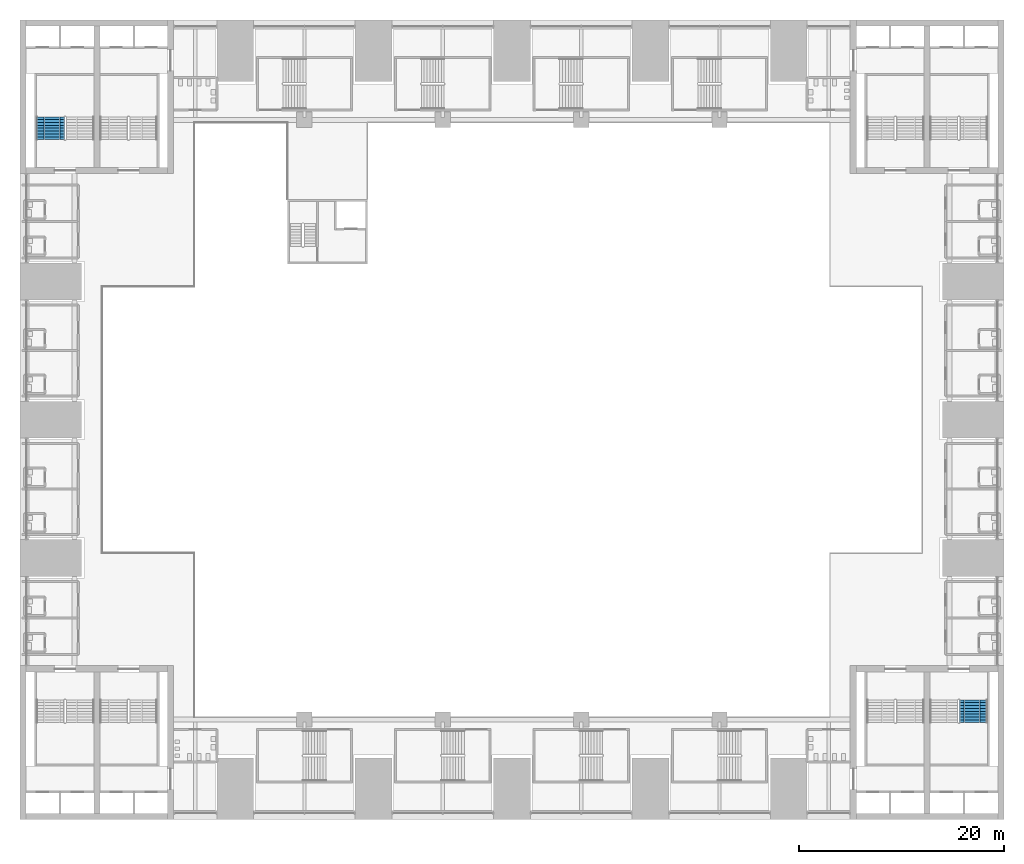
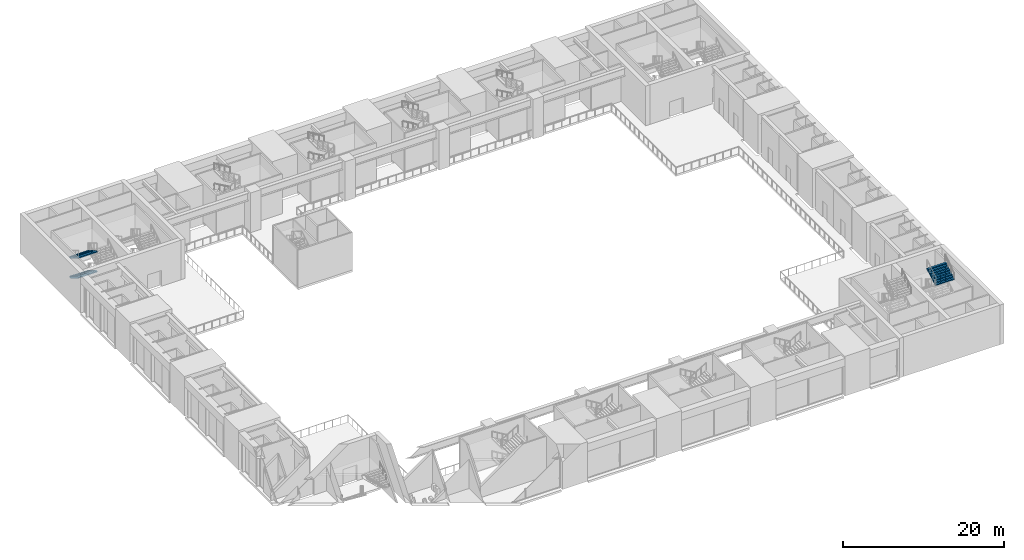
# One storey, part 28 of 43: 3 stair flights, 2 elements without a shape of their own.
"""IFC4 building model written with IfcOpenShell, lengths in metres."""

from ifc_helpers import new_model, si_unit, direction, frame, origin, place, context, subcontext, project, spatial, polyline, outline, extrude, material, type_object, element, aggregate, save


model = new_model("IFC4")

# Units and contexts
model_context = context("Model", 3, precision=1e-05, world=origin(), true_north=direction((0.0, 1.0)))
body_context = subcontext(model_context, "Body", "Model", "MODEL_VIEW")
ifc_project = project(units=[si_unit("LENGTHUNIT", "METRE"), si_unit("AREAUNIT", "SQUARE_METRE"), si_unit("VOLUMEUNIT", "CUBIC_METRE"), si_unit("PLANEANGLEUNIT", "RADIAN"), si_unit("MASSUNIT", "GRAM", prefix="KILO")], contexts=[model_context])

# Site, building, storey
site_placement = place(None, origin())
site = spatial("IfcSite", under=ifc_project, at=site_placement, CompositionType="ELEMENT")
building_placement = place(site_placement, origin())
building = spatial("IfcBuilding", under=site, at=building_placement, Name="Corbelhall Arena Tower", CompositionType="ELEMENT")
storey_placement = place(building_placement, frame((0.0, 0.0, 25.0)))
storey = spatial("IfcBuildingStorey", under=building, at=storey_placement, Name="L03", CompositionType="ELEMENT", Elevation=25.0)

# Stair, stair flights
ifc_material = material(Name="Reinforced concrete C40/50", Category="concrete")
stair_type = type_object("IfcStairType", Name="AR-EXIT-STAIR", PredefinedType="HALF_TURN_STAIR", material=ifc_material)
stair_1_placement = place(storey_placement, origin())
stair_1 = element("IfcStair", 1, at=stair_1_placement, inside=storey, type_object=stair_type, Name="L03 exit stair AS4", PredefinedType="HALF_TURN_STAIR")
stair_flight_type = type_object("IfcStairFlightType", Name="AR-EXIT-FLIGHT", PredefinedType="STRAIGHT", material=ifc_material)
stair_flight_1_placement = place(storey_placement, frame((-45.030029296875, 29.56005859375, 1.5), z_axis=(0.0, 0.0, 1.0), x_axis=(0.0, -1.0, 0.0)))
stair_flight_1 = element("IfcStairFlight", 2, at=stair_flight_1_placement, type_object=stair_flight_type, Name="AS4 flight 2", NumberOfRisers=9, NumberOfTreads=8, PredefinedType="STRAIGHT", RiserHeight=0.166666667, TreadLength=0.28, context=body_context, shape_type="SweptSolid", body=[
    extrude(outline(polyline([(0.0, 0.0), (0.0, 0.166748046875), (0.280029296875, 0.166748046875), (0.280029296875, 0.333251953125), (0.56005859375, 0.333251953125), (0.56005859375, 0.5), (0.840087890625, 0.5), (0.840087890625, 0.666748046875), (1.1201171875, 0.666748046875), (1.1201171875, 0.833251953125), (1.39990234375, 0.833251953125), (1.39990234375, 1.0), (1.679931640625, 1.0), (1.679931640625, 1.166748046875), (1.9599609375, 1.166748046875), (1.9599609375, 1.333251953125), (2.239990234375, 1.333251953125), (2.239990234375, 1.5), (2.239990234375, 1.158935546875), (0.29296875, 0.0), (0.0, 0.0)])), frame((0.0, 1.35986328125, 0.0), z_axis=(0.0, -1.0, 0.0), x_axis=(1.0, 0.0, 0.0)), (0.0, 0.0, 1.0), 0.449951171875),
    extrude(outline(polyline([(0.0, 0.0), (0.0, 0.166748046875), (0.280029296875, 0.166748046875), (0.280029296875, 0.333251953125), (0.56005859375, 0.333251953125), (0.56005859375, 0.5), (0.840087890625, 0.5), (0.840087890625, 0.666748046875), (1.1201171875, 0.666748046875), (1.1201171875, 0.833251953125), (1.39990234375, 0.833251953125), (1.39990234375, 1.0), (1.679931640625, 1.0), (1.679931640625, 1.166748046875), (1.9599609375, 1.166748046875), (1.9599609375, 1.333251953125), (2.239990234375, 1.333251953125), (2.239990234375, 1.5), (2.239990234375, 1.158935546875), (0.29296875, 0.0), (0.0, 0.0)])), frame((0.0, 0.906005859375, 0.0), z_axis=(0.0, -1.0, 0.0), x_axis=(1.0, 0.0, 0.0)), (0.0, 0.0, 1.0), 0.147216796875),
    extrude(outline(polyline([(0.0, 0.0), (0.0, 0.166748046875), (0.280029296875, 0.166748046875), (0.280029296875, 0.333251953125), (0.56005859375, 0.333251953125), (0.56005859375, 0.5), (0.840087890625, 0.5), (0.840087890625, 0.666748046875), (1.1201171875, 0.666748046875), (1.1201171875, 0.833251953125), (1.39990234375, 0.833251953125), (1.39990234375, 1.0), (1.679931640625, 1.0), (1.679931640625, 1.166748046875), (1.9599609375, 1.166748046875), (1.9599609375, 1.333251953125), (2.239990234375, 1.333251953125), (2.239990234375, 1.5), (2.239990234375, 1.158935546875), (0.29296875, 0.0), (0.0, 0.0)])), frame((0.0, 0.754638671875, 0.0), z_axis=(0.0, -1.0, 0.0), x_axis=(1.0, 0.0, 0.0)), (0.0, 0.0, 1.0), 0.147216796875),
    extrude(outline(polyline([(0.0, 0.0), (0.0, 0.166748046875), (0.280029296875, 0.166748046875), (0.280029296875, 0.333251953125), (0.56005859375, 0.333251953125), (0.56005859375, 0.5), (0.840087890625, 0.5), (0.840087890625, 0.666748046875), (1.1201171875, 0.666748046875), (1.1201171875, 0.833251953125), (1.39990234375, 0.833251953125), (1.39990234375, 1.0), (1.679931640625, 1.0), (1.679931640625, 1.166748046875), (1.9599609375, 1.166748046875), (1.9599609375, 1.333251953125), (2.239990234375, 1.333251953125), (2.239990234375, 1.5), (2.239990234375, 1.158935546875), (0.29296875, 0.0), (0.0, 0.0)])), frame((0.0, 0.603271484375, 0.0), z_axis=(0.0, -1.0, 0.0), x_axis=(1.0, 0.0, 0.0)), (0.0, 0.0, 1.0), 0.147216796875),
    extrude(outline(polyline([(0.0, 0.0), (0.0, 0.166748046875), (0.280029296875, 0.166748046875), (0.280029296875, 0.333251953125), (0.56005859375, 0.333251953125), (0.56005859375, 0.5), (0.840087890625, 0.5), (0.840087890625, 0.666748046875), (1.1201171875, 0.666748046875), (1.1201171875, 0.833251953125), (1.39990234375, 0.833251953125), (1.39990234375, 1.0), (1.679931640625, 1.0), (1.679931640625, 1.166748046875), (1.9599609375, 1.166748046875), (1.9599609375, 1.333251953125), (2.239990234375, 1.333251953125), (2.239990234375, 1.5), (2.239990234375, 1.158935546875), (0.29296875, 0.0), (0.0, 0.0)])), frame((0.0, 0.451904296875, 0.0), z_axis=(0.0, -1.0, 0.0), x_axis=(1.0, 0.0, 0.0)), (0.0, 0.0, 1.0), 0.147216796875),
    extrude(outline(polyline([(0.0, 0.0), (0.0, 0.166748046875), (0.280029296875, 0.166748046875), (0.280029296875, 0.333251953125), (0.56005859375, 0.333251953125), (0.56005859375, 0.5), (0.840087890625, 0.5), (0.840087890625, 0.666748046875), (1.1201171875, 0.666748046875), (1.1201171875, 0.833251953125), (1.39990234375, 0.833251953125), (1.39990234375, 1.0), (1.679931640625, 1.0), (1.679931640625, 1.166748046875), (1.9599609375, 1.166748046875), (1.9599609375, 1.333251953125), (2.239990234375, 1.333251953125), (2.239990234375, 1.5), (2.239990234375, 1.158935546875), (0.29296875, 0.0), (0.0, 0.0)])), frame((0.0, 0.30078125, 0.0), z_axis=(0.0, -1.0, 0.0), x_axis=(1.0, 0.0, 0.0)), (0.0, 0.0, 1.0), 0.147216796875),
    extrude(outline(polyline([(0.0, 0.0), (0.0, 0.166748046875), (0.280029296875, 0.166748046875), (0.280029296875, 0.333251953125), (0.56005859375, 0.333251953125), (0.56005859375, 0.5), (0.840087890625, 0.5), (0.840087890625, 0.666748046875), (1.1201171875, 0.666748046875), (1.1201171875, 0.833251953125), (1.39990234375, 0.833251953125), (1.39990234375, 1.0), (1.679931640625, 1.0), (1.679931640625, 1.166748046875), (1.9599609375, 1.166748046875), (1.9599609375, 1.333251953125), (2.239990234375, 1.333251953125), (2.239990234375, 1.5), (2.239990234375, 1.158935546875), (0.29296875, 0.0), (0.0, 0.0)])), frame((0.0, 0.1494140625, 0.0), z_axis=(0.0, -1.0, 0.0), x_axis=(1.0, 0.0, 0.0)), (0.0, 0.0, 1.0), 0.147216796875),
    extrude(outline(polyline([(0.0, 0.0), (0.0, 0.166748046875), (0.280029296875, 0.166748046875), (0.280029296875, 0.333251953125), (0.56005859375, 0.333251953125), (0.56005859375, 0.5), (0.840087890625, 0.5), (0.840087890625, 0.666748046875), (1.1201171875, 0.666748046875), (1.1201171875, 0.833251953125), (1.39990234375, 0.833251953125), (1.39990234375, 1.0), (1.679931640625, 1.0), (1.679931640625, 1.166748046875), (1.9599609375, 1.166748046875), (1.9599609375, 1.333251953125), (2.239990234375, 1.333251953125), (2.239990234375, 1.5), (2.239990234375, 1.158935546875), (0.29296875, 0.0), (0.0, 0.0)])), frame((0.0, -0.001953125, 0.0), z_axis=(0.0, -1.0, 0.0), x_axis=(1.0, 0.0, 0.0)), (0.0, 0.0, 1.0), 0.147216796875),
    extrude(outline(polyline([(0.0, 0.0), (0.0, 0.166748046875), (0.280029296875, 0.166748046875), (0.280029296875, 0.333251953125), (0.56005859375, 0.333251953125), (0.56005859375, 0.5), (0.840087890625, 0.5), (0.840087890625, 0.666748046875), (1.1201171875, 0.666748046875), (1.1201171875, 0.833251953125), (1.39990234375, 0.833251953125), (1.39990234375, 1.0), (1.679931640625, 1.0), (1.679931640625, 1.166748046875), (1.9599609375, 1.166748046875), (1.9599609375, 1.333251953125), (2.239990234375, 1.333251953125), (2.239990234375, 1.5), (2.239990234375, 1.158935546875), (0.29296875, 0.0), (0.0, 0.0)])), frame((0.0, -0.1533203125, 0.0), z_axis=(0.0, -1.0, 0.0), x_axis=(1.0, 0.0, 0.0)), (0.0, 0.0, 1.0), 0.147216796875),
    extrude(outline(polyline([(0.0, 0.0), (0.0, 0.166748046875), (0.280029296875, 0.166748046875), (0.280029296875, 0.333251953125), (0.56005859375, 0.333251953125), (0.56005859375, 0.5), (0.840087890625, 0.5), (0.840087890625, 0.666748046875), (1.1201171875, 0.666748046875), (1.1201171875, 0.833251953125), (1.39990234375, 0.833251953125), (1.39990234375, 1.0), (1.679931640625, 1.0), (1.679931640625, 1.166748046875), (1.9599609375, 1.166748046875), (1.9599609375, 1.333251953125), (2.239990234375, 1.333251953125), (2.239990234375, 1.5), (2.239990234375, 1.158935546875), (0.29296875, 0.0), (0.0, 0.0)])), frame((0.0, -0.3046875, 0.0), z_axis=(0.0, -1.0, 0.0), x_axis=(1.0, 0.0, 0.0)), (0.0, 0.0, 1.0), 0.147216796875),
    extrude(outline(polyline([(0.0, 0.0), (0.0, 0.166748046875), (0.280029296875, 0.166748046875), (0.280029296875, 0.333251953125), (0.56005859375, 0.333251953125), (0.56005859375, 0.5), (0.840087890625, 0.5), (0.840087890625, 0.666748046875), (1.1201171875, 0.666748046875), (1.1201171875, 0.833251953125), (1.39990234375, 0.833251953125), (1.39990234375, 1.0), (1.679931640625, 1.0), (1.679931640625, 1.166748046875), (1.9599609375, 1.166748046875), (1.9599609375, 1.333251953125), (2.239990234375, 1.333251953125), (2.239990234375, 1.5), (2.239990234375, 1.158935546875), (0.29296875, 0.0), (0.0, 0.0)])), frame((0.0, -0.4560546875, 0.0), z_axis=(0.0, -1.0, 0.0), x_axis=(1.0, 0.0, 0.0)), (0.0, 0.0, 1.0), 0.147216796875),
    extrude(outline(polyline([(0.0, 0.0), (0.0, 0.166748046875), (0.280029296875, 0.166748046875), (0.280029296875, 0.333251953125), (0.56005859375, 0.333251953125), (0.56005859375, 0.5), (0.840087890625, 0.5), (0.840087890625, 0.666748046875), (1.1201171875, 0.666748046875), (1.1201171875, 0.833251953125), (1.39990234375, 0.833251953125), (1.39990234375, 1.0), (1.679931640625, 1.0), (1.679931640625, 1.166748046875), (1.9599609375, 1.166748046875), (1.9599609375, 1.333251953125), (2.239990234375, 1.333251953125), (2.239990234375, 1.5), (2.239990234375, 1.158935546875), (0.29296875, 0.0), (0.0, 0.0)])), frame((0.0, -0.607421875, 0.0), z_axis=(0.0, -1.0, 0.0), x_axis=(1.0, 0.0, 0.0)), (0.0, 0.0, 1.0), 0.147216796875),
    extrude(outline(polyline([(0.0, 0.0), (0.0, 0.166748046875), (0.280029296875, 0.166748046875), (0.280029296875, 0.333251953125), (0.56005859375, 0.333251953125), (0.56005859375, 0.5), (0.840087890625, 0.5), (0.840087890625, 0.666748046875), (1.1201171875, 0.666748046875), (1.1201171875, 0.833251953125), (1.39990234375, 0.833251953125), (1.39990234375, 1.0), (1.679931640625, 1.0), (1.679931640625, 1.166748046875), (1.9599609375, 1.166748046875), (1.9599609375, 1.333251953125), (2.239990234375, 1.333251953125), (2.239990234375, 1.5), (2.239990234375, 1.158935546875), (0.29296875, 0.0), (0.0, 0.0)])), frame((0.0, -0.758544921875, 0.0), z_axis=(0.0, -1.0, 0.0), x_axis=(1.0, 0.0, 0.0)), (0.0, 0.0, 1.0), 0.147216796875),
    extrude(outline(polyline([(0.0, 0.0), (0.0, 0.166748046875), (0.280029296875, 0.166748046875), (0.280029296875, 0.333251953125), (0.56005859375, 0.333251953125), (0.56005859375, 0.5), (0.840087890625, 0.5), (0.840087890625, 0.666748046875), (1.1201171875, 0.666748046875), (1.1201171875, 0.833251953125), (1.39990234375, 0.833251953125), (1.39990234375, 1.0), (1.679931640625, 1.0), (1.679931640625, 1.166748046875), (1.9599609375, 1.166748046875), (1.9599609375, 1.333251953125), (2.239990234375, 1.333251953125), (2.239990234375, 1.5), (2.239990234375, 1.158935546875), (0.29296875, 0.0), (0.0, 0.0)])), frame((0.0, -0.909912109375, 0.0), z_axis=(0.0, -1.0, 0.0), x_axis=(1.0, 0.0, 0.0)), (0.0, 0.0, 1.0), 0.449951171875),
])
stair_flight_2_placement = place(storey_placement, frame((-45.030029296875, 29.56005859375, 4.5), z_axis=(0.0, 0.0, 1.0), x_axis=(0.0, -1.0, 0.0)))
stair_flight_2 = element("IfcStairFlight", 3, at=stair_flight_2_placement, type_object=stair_flight_type, Name="AS4 flight 4", NumberOfRisers=9, NumberOfTreads=8, PredefinedType="STRAIGHT", RiserHeight=0.166666667, TreadLength=0.28, context=body_context, shape_type="SweptSolid", body=[
    extrude(outline(polyline([(0.0, 0.0), (0.0, 0.166748046875), (0.280029296875, 0.166748046875), (0.280029296875, 0.333251953125), (0.56005859375, 0.333251953125), (0.56005859375, 0.5), (0.840087890625, 0.5), (0.840087890625, 0.666748046875), (1.1201171875, 0.666748046875), (1.1201171875, 0.833251953125), (1.39990234375, 0.833251953125), (1.39990234375, 1.0), (1.679931640625, 1.0), (1.679931640625, 1.166748046875), (1.9599609375, 1.166748046875), (1.9599609375, 1.333251953125), (2.239990234375, 1.333251953125), (2.239990234375, 1.5), (2.239990234375, 1.158935546875), (0.29296875, 0.0), (0.0, 0.0)])), frame((0.0, 1.35986328125, 0.0), z_axis=(0.0, -1.0, 0.0), x_axis=(1.0, 0.0, 0.0)), (0.0, 0.0, 1.0), 0.449951171875),
    extrude(outline(polyline([(0.0, 0.0), (0.0, 0.166748046875), (0.280029296875, 0.166748046875), (0.280029296875, 0.333251953125), (0.56005859375, 0.333251953125), (0.56005859375, 0.5), (0.840087890625, 0.5), (0.840087890625, 0.666748046875), (1.1201171875, 0.666748046875), (1.1201171875, 0.833251953125), (1.39990234375, 0.833251953125), (1.39990234375, 1.0), (1.679931640625, 1.0), (1.679931640625, 1.166748046875), (1.9599609375, 1.166748046875), (1.9599609375, 1.333251953125), (2.239990234375, 1.333251953125), (2.239990234375, 1.5), (2.239990234375, 1.158935546875), (0.29296875, 0.0), (0.0, 0.0)])), frame((0.0, 0.906005859375, 0.0), z_axis=(0.0, -1.0, 0.0), x_axis=(1.0, 0.0, 0.0)), (0.0, 0.0, 1.0), 0.147216796875),
    extrude(outline(polyline([(0.0, 0.0), (0.0, 0.166748046875), (0.280029296875, 0.166748046875), (0.280029296875, 0.333251953125), (0.56005859375, 0.333251953125), (0.56005859375, 0.5), (0.840087890625, 0.5), (0.840087890625, 0.666748046875), (1.1201171875, 0.666748046875), (1.1201171875, 0.833251953125), (1.39990234375, 0.833251953125), (1.39990234375, 1.0), (1.679931640625, 1.0), (1.679931640625, 1.166748046875), (1.9599609375, 1.166748046875), (1.9599609375, 1.333251953125), (2.239990234375, 1.333251953125), (2.239990234375, 1.5), (2.239990234375, 1.158935546875), (0.29296875, 0.0), (0.0, 0.0)])), frame((0.0, 0.754638671875, 0.0), z_axis=(0.0, -1.0, 0.0), x_axis=(1.0, 0.0, 0.0)), (0.0, 0.0, 1.0), 0.147216796875),
    extrude(outline(polyline([(0.0, 0.0), (0.0, 0.166748046875), (0.280029296875, 0.166748046875), (0.280029296875, 0.333251953125), (0.56005859375, 0.333251953125), (0.56005859375, 0.5), (0.840087890625, 0.5), (0.840087890625, 0.666748046875), (1.1201171875, 0.666748046875), (1.1201171875, 0.833251953125), (1.39990234375, 0.833251953125), (1.39990234375, 1.0), (1.679931640625, 1.0), (1.679931640625, 1.166748046875), (1.9599609375, 1.166748046875), (1.9599609375, 1.333251953125), (2.239990234375, 1.333251953125), (2.239990234375, 1.5), (2.239990234375, 1.158935546875), (0.29296875, 0.0), (0.0, 0.0)])), frame((0.0, 0.603271484375, 0.0), z_axis=(0.0, -1.0, 0.0), x_axis=(1.0, 0.0, 0.0)), (0.0, 0.0, 1.0), 0.147216796875),
    extrude(outline(polyline([(0.0, 0.0), (0.0, 0.166748046875), (0.280029296875, 0.166748046875), (0.280029296875, 0.333251953125), (0.56005859375, 0.333251953125), (0.56005859375, 0.5), (0.840087890625, 0.5), (0.840087890625, 0.666748046875), (1.1201171875, 0.666748046875), (1.1201171875, 0.833251953125), (1.39990234375, 0.833251953125), (1.39990234375, 1.0), (1.679931640625, 1.0), (1.679931640625, 1.166748046875), (1.9599609375, 1.166748046875), (1.9599609375, 1.333251953125), (2.239990234375, 1.333251953125), (2.239990234375, 1.5), (2.239990234375, 1.158935546875), (0.29296875, 0.0), (0.0, 0.0)])), frame((0.0, 0.451904296875, 0.0), z_axis=(0.0, -1.0, 0.0), x_axis=(1.0, 0.0, 0.0)), (0.0, 0.0, 1.0), 0.147216796875),
    extrude(outline(polyline([(0.0, 0.0), (0.0, 0.166748046875), (0.280029296875, 0.166748046875), (0.280029296875, 0.333251953125), (0.56005859375, 0.333251953125), (0.56005859375, 0.5), (0.840087890625, 0.5), (0.840087890625, 0.666748046875), (1.1201171875, 0.666748046875), (1.1201171875, 0.833251953125), (1.39990234375, 0.833251953125), (1.39990234375, 1.0), (1.679931640625, 1.0), (1.679931640625, 1.166748046875), (1.9599609375, 1.166748046875), (1.9599609375, 1.333251953125), (2.239990234375, 1.333251953125), (2.239990234375, 1.5), (2.239990234375, 1.158935546875), (0.29296875, 0.0), (0.0, 0.0)])), frame((0.0, 0.30078125, 0.0), z_axis=(0.0, -1.0, 0.0), x_axis=(1.0, 0.0, 0.0)), (0.0, 0.0, 1.0), 0.147216796875),
    extrude(outline(polyline([(0.0, 0.0), (0.0, 0.166748046875), (0.280029296875, 0.166748046875), (0.280029296875, 0.333251953125), (0.56005859375, 0.333251953125), (0.56005859375, 0.5), (0.840087890625, 0.5), (0.840087890625, 0.666748046875), (1.1201171875, 0.666748046875), (1.1201171875, 0.833251953125), (1.39990234375, 0.833251953125), (1.39990234375, 1.0), (1.679931640625, 1.0), (1.679931640625, 1.166748046875), (1.9599609375, 1.166748046875), (1.9599609375, 1.333251953125), (2.239990234375, 1.333251953125), (2.239990234375, 1.5), (2.239990234375, 1.158935546875), (0.29296875, 0.0), (0.0, 0.0)])), frame((0.0, 0.1494140625, 0.0), z_axis=(0.0, -1.0, 0.0), x_axis=(1.0, 0.0, 0.0)), (0.0, 0.0, 1.0), 0.147216796875),
    extrude(outline(polyline([(0.0, 0.0), (0.0, 0.166748046875), (0.280029296875, 0.166748046875), (0.280029296875, 0.333251953125), (0.56005859375, 0.333251953125), (0.56005859375, 0.5), (0.840087890625, 0.5), (0.840087890625, 0.666748046875), (1.1201171875, 0.666748046875), (1.1201171875, 0.833251953125), (1.39990234375, 0.833251953125), (1.39990234375, 1.0), (1.679931640625, 1.0), (1.679931640625, 1.166748046875), (1.9599609375, 1.166748046875), (1.9599609375, 1.333251953125), (2.239990234375, 1.333251953125), (2.239990234375, 1.5), (2.239990234375, 1.158935546875), (0.29296875, 0.0), (0.0, 0.0)])), frame((0.0, -0.001953125, 0.0), z_axis=(0.0, -1.0, 0.0), x_axis=(1.0, 0.0, 0.0)), (0.0, 0.0, 1.0), 0.147216796875),
    extrude(outline(polyline([(0.0, 0.0), (0.0, 0.166748046875), (0.280029296875, 0.166748046875), (0.280029296875, 0.333251953125), (0.56005859375, 0.333251953125), (0.56005859375, 0.5), (0.840087890625, 0.5), (0.840087890625, 0.666748046875), (1.1201171875, 0.666748046875), (1.1201171875, 0.833251953125), (1.39990234375, 0.833251953125), (1.39990234375, 1.0), (1.679931640625, 1.0), (1.679931640625, 1.166748046875), (1.9599609375, 1.166748046875), (1.9599609375, 1.333251953125), (2.239990234375, 1.333251953125), (2.239990234375, 1.5), (2.239990234375, 1.158935546875), (0.29296875, 0.0), (0.0, 0.0)])), frame((0.0, -0.1533203125, 0.0), z_axis=(0.0, -1.0, 0.0), x_axis=(1.0, 0.0, 0.0)), (0.0, 0.0, 1.0), 0.147216796875),
    extrude(outline(polyline([(0.0, 0.0), (0.0, 0.166748046875), (0.280029296875, 0.166748046875), (0.280029296875, 0.333251953125), (0.56005859375, 0.333251953125), (0.56005859375, 0.5), (0.840087890625, 0.5), (0.840087890625, 0.666748046875), (1.1201171875, 0.666748046875), (1.1201171875, 0.833251953125), (1.39990234375, 0.833251953125), (1.39990234375, 1.0), (1.679931640625, 1.0), (1.679931640625, 1.166748046875), (1.9599609375, 1.166748046875), (1.9599609375, 1.333251953125), (2.239990234375, 1.333251953125), (2.239990234375, 1.5), (2.239990234375, 1.158935546875), (0.29296875, 0.0), (0.0, 0.0)])), frame((0.0, -0.3046875, 0.0), z_axis=(0.0, -1.0, 0.0), x_axis=(1.0, 0.0, 0.0)), (0.0, 0.0, 1.0), 0.147216796875),
    extrude(outline(polyline([(0.0, 0.0), (0.0, 0.166748046875), (0.280029296875, 0.166748046875), (0.280029296875, 0.333251953125), (0.56005859375, 0.333251953125), (0.56005859375, 0.5), (0.840087890625, 0.5), (0.840087890625, 0.666748046875), (1.1201171875, 0.666748046875), (1.1201171875, 0.833251953125), (1.39990234375, 0.833251953125), (1.39990234375, 1.0), (1.679931640625, 1.0), (1.679931640625, 1.166748046875), (1.9599609375, 1.166748046875), (1.9599609375, 1.333251953125), (2.239990234375, 1.333251953125), (2.239990234375, 1.5), (2.239990234375, 1.158935546875), (0.29296875, 0.0), (0.0, 0.0)])), frame((0.0, -0.4560546875, 0.0), z_axis=(0.0, -1.0, 0.0), x_axis=(1.0, 0.0, 0.0)), (0.0, 0.0, 1.0), 0.147216796875),
    extrude(outline(polyline([(0.0, 0.0), (0.0, 0.166748046875), (0.280029296875, 0.166748046875), (0.280029296875, 0.333251953125), (0.56005859375, 0.333251953125), (0.56005859375, 0.5), (0.840087890625, 0.5), (0.840087890625, 0.666748046875), (1.1201171875, 0.666748046875), (1.1201171875, 0.833251953125), (1.39990234375, 0.833251953125), (1.39990234375, 1.0), (1.679931640625, 1.0), (1.679931640625, 1.166748046875), (1.9599609375, 1.166748046875), (1.9599609375, 1.333251953125), (2.239990234375, 1.333251953125), (2.239990234375, 1.5), (2.239990234375, 1.158935546875), (0.29296875, 0.0), (0.0, 0.0)])), frame((0.0, -0.607421875, 0.0), z_axis=(0.0, -1.0, 0.0), x_axis=(1.0, 0.0, 0.0)), (0.0, 0.0, 1.0), 0.147216796875),
    extrude(outline(polyline([(0.0, 0.0), (0.0, 0.166748046875), (0.280029296875, 0.166748046875), (0.280029296875, 0.333251953125), (0.56005859375, 0.333251953125), (0.56005859375, 0.5), (0.840087890625, 0.5), (0.840087890625, 0.666748046875), (1.1201171875, 0.666748046875), (1.1201171875, 0.833251953125), (1.39990234375, 0.833251953125), (1.39990234375, 1.0), (1.679931640625, 1.0), (1.679931640625, 1.166748046875), (1.9599609375, 1.166748046875), (1.9599609375, 1.333251953125), (2.239990234375, 1.333251953125), (2.239990234375, 1.5), (2.239990234375, 1.158935546875), (0.29296875, 0.0), (0.0, 0.0)])), frame((0.0, -0.758544921875, 0.0), z_axis=(0.0, -1.0, 0.0), x_axis=(1.0, 0.0, 0.0)), (0.0, 0.0, 1.0), 0.147216796875),
    extrude(outline(polyline([(0.0, 0.0), (0.0, 0.166748046875), (0.280029296875, 0.166748046875), (0.280029296875, 0.333251953125), (0.56005859375, 0.333251953125), (0.56005859375, 0.5), (0.840087890625, 0.5), (0.840087890625, 0.666748046875), (1.1201171875, 0.666748046875), (1.1201171875, 0.833251953125), (1.39990234375, 0.833251953125), (1.39990234375, 1.0), (1.679931640625, 1.0), (1.679931640625, 1.166748046875), (1.9599609375, 1.166748046875), (1.9599609375, 1.333251953125), (2.239990234375, 1.333251953125), (2.239990234375, 1.5), (2.239990234375, 1.158935546875), (0.29296875, 0.0), (0.0, 0.0)])), frame((0.0, -0.909912109375, 0.0), z_axis=(0.0, -1.0, 0.0), x_axis=(1.0, 0.0, 0.0)), (0.0, 0.0, 1.0), 0.449951171875),
])
aggregate(stair_1, [stair_flight_1, stair_flight_2])

# Stair, stair flight
stair_2_placement = place(storey_placement, origin())
stair_2 = element("IfcStair", 4, at=stair_2_placement, inside=storey, type_object=stair_type, Name="L03 exit stair AS6", PredefinedType="HALF_TURN_STAIR")
stair_flight_3_placement = place(storey_placement, frame((45.030029296875, -29.56005859375, 4.5), z_axis=(0.0, 0.0, 1.0), x_axis=(0.0, 1.0, 0.0)))
stair_flight_3 = element("IfcStairFlight", 5, at=stair_flight_3_placement, type_object=stair_flight_type, Name="AS6 flight 4", NumberOfRisers=9, NumberOfTreads=8, PredefinedType="STRAIGHT", RiserHeight=0.166666667, TreadLength=0.28, context=body_context, shape_type="SweptSolid", body=[
    extrude(outline(polyline([(0.0, 0.0), (0.0, 0.166748046875), (0.280029296875, 0.166748046875), (0.280029296875, 0.333251953125), (0.56005859375, 0.333251953125), (0.56005859375, 0.5), (0.840087890625, 0.5), (0.840087890625, 0.666748046875), (1.1201171875, 0.666748046875), (1.1201171875, 0.833251953125), (1.39990234375, 0.833251953125), (1.39990234375, 1.0), (1.679931640625, 1.0), (1.679931640625, 1.166748046875), (1.9599609375, 1.166748046875), (1.9599609375, 1.333251953125), (2.239990234375, 1.333251953125), (2.239990234375, 1.5), (2.239990234375, 1.158935546875), (0.29296875, 0.0), (0.0, 0.0)])), frame((0.0, 1.35986328125, 0.0), z_axis=(0.0, -1.0, 0.0), x_axis=(1.0, 0.0, 0.0)), (0.0, 0.0, 1.0), 0.449951171875),
    extrude(outline(polyline([(0.0, 0.0), (0.0, 0.166748046875), (0.280029296875, 0.166748046875), (0.280029296875, 0.333251953125), (0.56005859375, 0.333251953125), (0.56005859375, 0.5), (0.840087890625, 0.5), (0.840087890625, 0.666748046875), (1.1201171875, 0.666748046875), (1.1201171875, 0.833251953125), (1.39990234375, 0.833251953125), (1.39990234375, 1.0), (1.679931640625, 1.0), (1.679931640625, 1.166748046875), (1.9599609375, 1.166748046875), (1.9599609375, 1.333251953125), (2.239990234375, 1.333251953125), (2.239990234375, 1.5), (2.239990234375, 1.158935546875), (0.29296875, 0.0), (0.0, 0.0)])), frame((0.0, 0.906005859375, 0.0), z_axis=(0.0, -1.0, 0.0), x_axis=(1.0, 0.0, 0.0)), (0.0, 0.0, 1.0), 0.147216796875),
    extrude(outline(polyline([(0.0, 0.0), (0.0, 0.166748046875), (0.280029296875, 0.166748046875), (0.280029296875, 0.333251953125), (0.56005859375, 0.333251953125), (0.56005859375, 0.5), (0.840087890625, 0.5), (0.840087890625, 0.666748046875), (1.1201171875, 0.666748046875), (1.1201171875, 0.833251953125), (1.39990234375, 0.833251953125), (1.39990234375, 1.0), (1.679931640625, 1.0), (1.679931640625, 1.166748046875), (1.9599609375, 1.166748046875), (1.9599609375, 1.333251953125), (2.239990234375, 1.333251953125), (2.239990234375, 1.5), (2.239990234375, 1.158935546875), (0.29296875, 0.0), (0.0, 0.0)])), frame((0.0, 0.754638671875, 0.0), z_axis=(0.0, -1.0, 0.0), x_axis=(1.0, 0.0, 0.0)), (0.0, 0.0, 1.0), 0.147216796875),
    extrude(outline(polyline([(0.0, 0.0), (0.0, 0.166748046875), (0.280029296875, 0.166748046875), (0.280029296875, 0.333251953125), (0.56005859375, 0.333251953125), (0.56005859375, 0.5), (0.840087890625, 0.5), (0.840087890625, 0.666748046875), (1.1201171875, 0.666748046875), (1.1201171875, 0.833251953125), (1.39990234375, 0.833251953125), (1.39990234375, 1.0), (1.679931640625, 1.0), (1.679931640625, 1.166748046875), (1.9599609375, 1.166748046875), (1.9599609375, 1.333251953125), (2.239990234375, 1.333251953125), (2.239990234375, 1.5), (2.239990234375, 1.158935546875), (0.29296875, 0.0), (0.0, 0.0)])), frame((0.0, 0.603271484375, 0.0), z_axis=(0.0, -1.0, 0.0), x_axis=(1.0, 0.0, 0.0)), (0.0, 0.0, 1.0), 0.147216796875),
    extrude(outline(polyline([(0.0, 0.0), (0.0, 0.166748046875), (0.280029296875, 0.166748046875), (0.280029296875, 0.333251953125), (0.56005859375, 0.333251953125), (0.56005859375, 0.5), (0.840087890625, 0.5), (0.840087890625, 0.666748046875), (1.1201171875, 0.666748046875), (1.1201171875, 0.833251953125), (1.39990234375, 0.833251953125), (1.39990234375, 1.0), (1.679931640625, 1.0), (1.679931640625, 1.166748046875), (1.9599609375, 1.166748046875), (1.9599609375, 1.333251953125), (2.239990234375, 1.333251953125), (2.239990234375, 1.5), (2.239990234375, 1.158935546875), (0.29296875, 0.0), (0.0, 0.0)])), frame((0.0, 0.451904296875, 0.0), z_axis=(0.0, -1.0, 0.0), x_axis=(1.0, 0.0, 0.0)), (0.0, 0.0, 1.0), 0.147216796875),
    extrude(outline(polyline([(0.0, 0.0), (0.0, 0.166748046875), (0.280029296875, 0.166748046875), (0.280029296875, 0.333251953125), (0.56005859375, 0.333251953125), (0.56005859375, 0.5), (0.840087890625, 0.5), (0.840087890625, 0.666748046875), (1.1201171875, 0.666748046875), (1.1201171875, 0.833251953125), (1.39990234375, 0.833251953125), (1.39990234375, 1.0), (1.679931640625, 1.0), (1.679931640625, 1.166748046875), (1.9599609375, 1.166748046875), (1.9599609375, 1.333251953125), (2.239990234375, 1.333251953125), (2.239990234375, 1.5), (2.239990234375, 1.158935546875), (0.29296875, 0.0), (0.0, 0.0)])), frame((0.0, 0.30078125, 0.0), z_axis=(0.0, -1.0, 0.0), x_axis=(1.0, 0.0, 0.0)), (0.0, 0.0, 1.0), 0.147216796875),
    extrude(outline(polyline([(0.0, 0.0), (0.0, 0.166748046875), (0.280029296875, 0.166748046875), (0.280029296875, 0.333251953125), (0.56005859375, 0.333251953125), (0.56005859375, 0.5), (0.840087890625, 0.5), (0.840087890625, 0.666748046875), (1.1201171875, 0.666748046875), (1.1201171875, 0.833251953125), (1.39990234375, 0.833251953125), (1.39990234375, 1.0), (1.679931640625, 1.0), (1.679931640625, 1.166748046875), (1.9599609375, 1.166748046875), (1.9599609375, 1.333251953125), (2.239990234375, 1.333251953125), (2.239990234375, 1.5), (2.239990234375, 1.158935546875), (0.29296875, 0.0), (0.0, 0.0)])), frame((0.0, 0.1494140625, 0.0), z_axis=(0.0, -1.0, 0.0), x_axis=(1.0, 0.0, 0.0)), (0.0, 0.0, 1.0), 0.147216796875),
    extrude(outline(polyline([(0.0, 0.0), (0.0, 0.166748046875), (0.280029296875, 0.166748046875), (0.280029296875, 0.333251953125), (0.56005859375, 0.333251953125), (0.56005859375, 0.5), (0.840087890625, 0.5), (0.840087890625, 0.666748046875), (1.1201171875, 0.666748046875), (1.1201171875, 0.833251953125), (1.39990234375, 0.833251953125), (1.39990234375, 1.0), (1.679931640625, 1.0), (1.679931640625, 1.166748046875), (1.9599609375, 1.166748046875), (1.9599609375, 1.333251953125), (2.239990234375, 1.333251953125), (2.239990234375, 1.5), (2.239990234375, 1.158935546875), (0.29296875, 0.0), (0.0, 0.0)])), frame((0.0, -0.001953125, 0.0), z_axis=(0.0, -1.0, 0.0), x_axis=(1.0, 0.0, 0.0)), (0.0, 0.0, 1.0), 0.147216796875),
    extrude(outline(polyline([(0.0, 0.0), (0.0, 0.166748046875), (0.280029296875, 0.166748046875), (0.280029296875, 0.333251953125), (0.56005859375, 0.333251953125), (0.56005859375, 0.5), (0.840087890625, 0.5), (0.840087890625, 0.666748046875), (1.1201171875, 0.666748046875), (1.1201171875, 0.833251953125), (1.39990234375, 0.833251953125), (1.39990234375, 1.0), (1.679931640625, 1.0), (1.679931640625, 1.166748046875), (1.9599609375, 1.166748046875), (1.9599609375, 1.333251953125), (2.239990234375, 1.333251953125), (2.239990234375, 1.5), (2.239990234375, 1.158935546875), (0.29296875, 0.0), (0.0, 0.0)])), frame((0.0, -0.1533203125, 0.0), z_axis=(0.0, -1.0, 0.0), x_axis=(1.0, 0.0, 0.0)), (0.0, 0.0, 1.0), 0.147216796875),
    extrude(outline(polyline([(0.0, 0.0), (0.0, 0.166748046875), (0.280029296875, 0.166748046875), (0.280029296875, 0.333251953125), (0.56005859375, 0.333251953125), (0.56005859375, 0.5), (0.840087890625, 0.5), (0.840087890625, 0.666748046875), (1.1201171875, 0.666748046875), (1.1201171875, 0.833251953125), (1.39990234375, 0.833251953125), (1.39990234375, 1.0), (1.679931640625, 1.0), (1.679931640625, 1.166748046875), (1.9599609375, 1.166748046875), (1.9599609375, 1.333251953125), (2.239990234375, 1.333251953125), (2.239990234375, 1.5), (2.239990234375, 1.158935546875), (0.29296875, 0.0), (0.0, 0.0)])), frame((0.0, -0.3046875, 0.0), z_axis=(0.0, -1.0, 0.0), x_axis=(1.0, 0.0, 0.0)), (0.0, 0.0, 1.0), 0.147216796875),
    extrude(outline(polyline([(0.0, 0.0), (0.0, 0.166748046875), (0.280029296875, 0.166748046875), (0.280029296875, 0.333251953125), (0.56005859375, 0.333251953125), (0.56005859375, 0.5), (0.840087890625, 0.5), (0.840087890625, 0.666748046875), (1.1201171875, 0.666748046875), (1.1201171875, 0.833251953125), (1.39990234375, 0.833251953125), (1.39990234375, 1.0), (1.679931640625, 1.0), (1.679931640625, 1.166748046875), (1.9599609375, 1.166748046875), (1.9599609375, 1.333251953125), (2.239990234375, 1.333251953125), (2.239990234375, 1.5), (2.239990234375, 1.158935546875), (0.29296875, 0.0), (0.0, 0.0)])), frame((0.0, -0.4560546875, 0.0), z_axis=(0.0, -1.0, 0.0), x_axis=(1.0, 0.0, 0.0)), (0.0, 0.0, 1.0), 0.147216796875),
    extrude(outline(polyline([(0.0, 0.0), (0.0, 0.166748046875), (0.280029296875, 0.166748046875), (0.280029296875, 0.333251953125), (0.56005859375, 0.333251953125), (0.56005859375, 0.5), (0.840087890625, 0.5), (0.840087890625, 0.666748046875), (1.1201171875, 0.666748046875), (1.1201171875, 0.833251953125), (1.39990234375, 0.833251953125), (1.39990234375, 1.0), (1.679931640625, 1.0), (1.679931640625, 1.166748046875), (1.9599609375, 1.166748046875), (1.9599609375, 1.333251953125), (2.239990234375, 1.333251953125), (2.239990234375, 1.5), (2.239990234375, 1.158935546875), (0.29296875, 0.0), (0.0, 0.0)])), frame((0.0, -0.607421875, 0.0), z_axis=(0.0, -1.0, 0.0), x_axis=(1.0, 0.0, 0.0)), (0.0, 0.0, 1.0), 0.147216796875),
    extrude(outline(polyline([(0.0, 0.0), (0.0, 0.166748046875), (0.280029296875, 0.166748046875), (0.280029296875, 0.333251953125), (0.56005859375, 0.333251953125), (0.56005859375, 0.5), (0.840087890625, 0.5), (0.840087890625, 0.666748046875), (1.1201171875, 0.666748046875), (1.1201171875, 0.833251953125), (1.39990234375, 0.833251953125), (1.39990234375, 1.0), (1.679931640625, 1.0), (1.679931640625, 1.166748046875), (1.9599609375, 1.166748046875), (1.9599609375, 1.333251953125), (2.239990234375, 1.333251953125), (2.239990234375, 1.5), (2.239990234375, 1.158935546875), (0.29296875, 0.0), (0.0, 0.0)])), frame((0.0, -0.758544921875, 0.0), z_axis=(0.0, -1.0, 0.0), x_axis=(1.0, 0.0, 0.0)), (0.0, 0.0, 1.0), 0.147216796875),
    extrude(outline(polyline([(0.0, 0.0), (0.0, 0.166748046875), (0.280029296875, 0.166748046875), (0.280029296875, 0.333251953125), (0.56005859375, 0.333251953125), (0.56005859375, 0.5), (0.840087890625, 0.5), (0.840087890625, 0.666748046875), (1.1201171875, 0.666748046875), (1.1201171875, 0.833251953125), (1.39990234375, 0.833251953125), (1.39990234375, 1.0), (1.679931640625, 1.0), (1.679931640625, 1.166748046875), (1.9599609375, 1.166748046875), (1.9599609375, 1.333251953125), (2.239990234375, 1.333251953125), (2.239990234375, 1.5), (2.239990234375, 1.158935546875), (0.29296875, 0.0), (0.0, 0.0)])), frame((0.0, -0.909912109375, 0.0), z_axis=(0.0, -1.0, 0.0), x_axis=(1.0, 0.0, 0.0)), (0.0, 0.0, 1.0), 0.449951171875),
])
aggregate(stair_2, [stair_flight_3])

save(model, "model.ifc")
